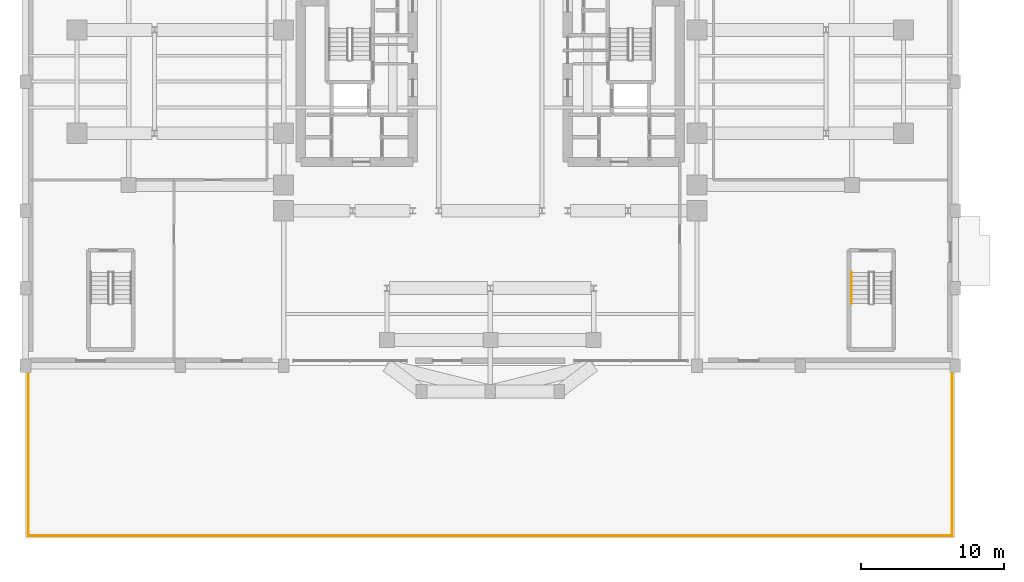
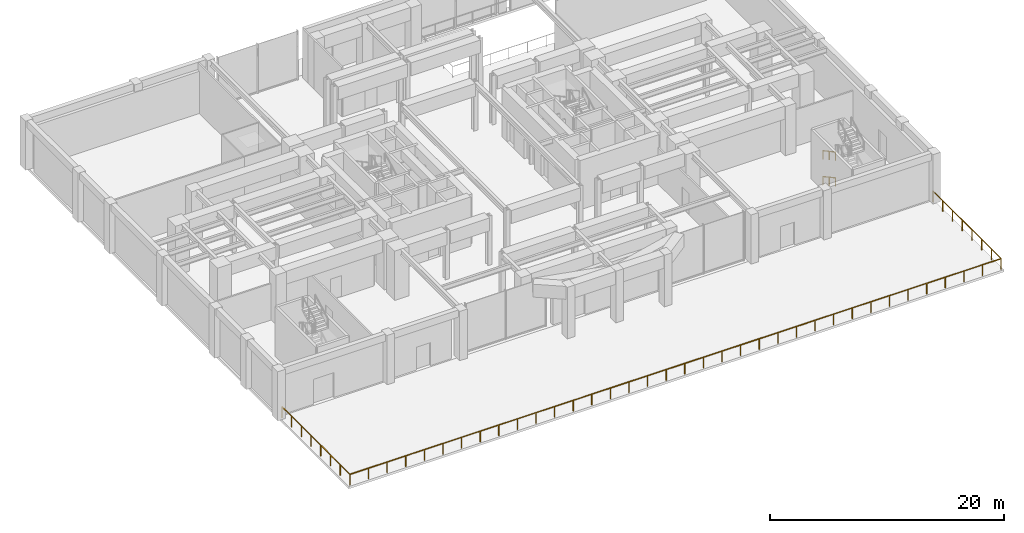
# One storey, part 15 of 17: 3 railings.
"""IFC4 building model written with IfcOpenShell, lengths in metres."""

from ifc_helpers import new_model, si_unit, direction, frame, origin, origin_2d, place, context, subcontext, project, spatial, rectangle, extrude, material, type_object, element, save


model = new_model("IFC4")

# Units and contexts
model_context = context("Model", 3, precision=1e-05, world=origin(), true_north=direction((0.0, 1.0)))
body_context = subcontext(model_context, "Body", "Model", "MODEL_VIEW")
ifc_project = project(units=[si_unit("LENGTHUNIT", "METRE"), si_unit("AREAUNIT", "SQUARE_METRE"), si_unit("VOLUMEUNIT", "CUBIC_METRE"), si_unit("PLANEANGLEUNIT", "RADIAN"), si_unit("MASSUNIT", "GRAM", prefix="KILO")], contexts=[model_context])

# Site, building, storey
site_placement = place(None, origin())
site = spatial("IfcSite", under=ifc_project, at=site_placement, CompositionType="ELEMENT")
building_placement = place(site_placement, origin())
building = spatial("IfcBuilding", under=site, at=building_placement, Name="Keilestroom Media Tower", CompositionType="ELEMENT")
storey_placement = place(building_placement, origin())
storey = spatial("IfcBuildingStorey", under=building, at=storey_placement, Name="L00", CompositionType="ELEMENT", Elevation=0.0)

# Railings
ifc_material_1 = material(Name="Brushed Stainless Steel 1.4301", Category="steel")
railing_type_1 = type_object("IfcRailingType", Name="Stair-Pitch-Handrail-920", PredefinedType="HANDRAIL", material=ifc_material_1)
for number, where, name in (
    (1, (25.169921875, -13.2900390625, 0.168701171875), "L00 ST-4 stair handrail 1"),
    (2, (25.169921875, -13.2900390625, 2.86865234375), "L00 ST-4 stair handrail 3"),
):
    element("IfcRailing", number, at=place(storey_placement, frame(where)), inside=storey, type_object=railing_type_1, Name=name, PredefinedType="HANDRAIL", context=body_context, shape_type="SweptSolid", body=[
        extrude(rectangle(XDim=0.048095703125, YDim=0.048095703125, at=origin_2d()), frame((0.0, 0.0, 0.8759765625), z_axis=(0.0, -0.879569751981, 0.475769956387), x_axis=(1.0, 0.0, 0.0)), (0.0, 0.0, 1.0), 2.483154296875),
        extrude(rectangle(XDim=0.0419921875, YDim=0.0419921875, at=origin_2d()), origin(), (0.0, 0.0, 1.0), 0.84375),
        extrude(rectangle(XDim=0.0419921875, YDim=0.0419921875, at=origin_2d()), frame((0.0, -1.092041015625, 0.5908203125)), (0.0, 0.0, 1.0), 0.84375),
        extrude(rectangle(XDim=0.0419921875, YDim=0.0419921875, at=origin_2d()), frame((0.0, -2.18408203125, 1.181396484375)), (0.0, 0.0, 1.0), 0.84375),
    ])
ifc_material_2 = material(Name="Laminated Safety Glass & Stainless Steel", Category="steel")
railing_type_2 = type_object("IfcRailingType", Name="Terrace-And-Atrium-Guard-Balustrade-GD-EXT", PredefinedType="BALUSTRADE", material=ifc_material_2)
railing_placement = place(storey_placement, frame((-32.199951171875, -20.0, 0.0)))
element("IfcRailing", 3, at=railing_placement, inside=storey, type_object=railing_type_2, Name="L00 Keilestroom Quay Edge Safety Balustrade", PredefinedType="BALUSTRADE", context=body_context, shape_type="SweptSolid", body=[
    extrude(rectangle(XDim=0.048095703125, YDim=0.048095703125, at=origin_2d()), frame((0.0, 0.0, 1.1259765625), z_axis=(0.0, -1.0, 0.0), x_axis=(1.0, 0.0, 0.0)), (0.0, 0.0, 1.0), 11.601806640625),
    extrude(rectangle(XDim=0.048095703125, YDim=0.048095703125, at=origin_2d()), frame((0.048095703125, -11.64990234375, 1.1259765625), z_axis=(1.0, 0.0, 0.0), x_axis=(0.0, 1.0, 0.0)), (0.0, 0.0, 1.0), 64.3037109375),
    extrude(rectangle(XDim=0.048095703125, YDim=0.048095703125, at=origin_2d()), frame((64.39990234375, -11.601806640625, 1.1259765625), z_axis=(0.0, 1.0, 0.0), x_axis=(-1.0, 0.0, 0.0)), (0.0, 0.0, 1.0), 11.601806640625),
    extrude(rectangle(XDim=0.0419921875, YDim=0.0419921875, at=origin_2d()), origin(), (0.0, 0.0, 1.0), 1.09375),
    extrude(rectangle(XDim=0.0419921875, YDim=0.0419921875, at=origin_2d()), frame((0.0, -1.664306640625, 0.0)), (0.0, 0.0, 1.0), 1.09375),
    extrude(rectangle(XDim=0.0419921875, YDim=0.0419921875, at=origin_2d()), frame((0.0, -3.32861328125, 0.0)), (0.0, 0.0, 1.0), 1.09375),
    extrude(rectangle(XDim=0.0419921875, YDim=0.0419921875, at=origin_2d()), frame((0.0, -4.992919921875, 0.0)), (0.0, 0.0, 1.0), 1.09375),
    extrude(rectangle(XDim=0.0419921875, YDim=0.0419921875, at=origin_2d()), frame((0.0, -6.656982421875, 0.0)), (0.0, 0.0, 1.0), 1.09375),
    extrude(rectangle(XDim=0.0419921875, YDim=0.0419921875, at=origin_2d()), frame((0.0, -8.3212890625, 0.0)), (0.0, 0.0, 1.0), 1.09375),
    extrude(rectangle(XDim=0.0419921875, YDim=0.0419921875, at=origin_2d()), frame((0.0, -9.985595703125, 0.0)), (0.0, 0.0, 1.0), 1.09375),
    extrude(rectangle(XDim=0.0419921875, YDim=0.0419921875, at=origin_2d()), frame((0.0, -11.64990234375, 0.0)), (0.0, 0.0, 1.0), 1.09375),
    extrude(rectangle(XDim=0.0419921875, YDim=0.0419921875, at=origin_2d()), frame((1.840087890625, -11.64990234375, 0.0)), (0.0, 0.0, 1.0), 1.09375),
    extrude(rectangle(XDim=0.0419921875, YDim=0.0419921875, at=origin_2d()), frame((3.679931640625, -11.64990234375, 0.0)), (0.0, 0.0, 1.0), 1.09375),
    extrude(rectangle(XDim=0.0419921875, YDim=0.0419921875, at=origin_2d()), frame((5.52001953125, -11.64990234375, 0.0)), (0.0, 0.0, 1.0), 1.09375),
    extrude(rectangle(XDim=0.0419921875, YDim=0.0419921875, at=origin_2d()), frame((7.360107421875, -11.64990234375, 0.0)), (0.0, 0.0, 1.0), 1.09375),
    extrude(rectangle(XDim=0.0419921875, YDim=0.0419921875, at=origin_2d()), frame((9.199951171875, -11.64990234375, 0.0)), (0.0, 0.0, 1.0), 1.09375),
    extrude(rectangle(XDim=0.0419921875, YDim=0.0419921875, at=origin_2d()), frame((11.0400390625, -11.64990234375, 0.0)), (0.0, 0.0, 1.0), 1.09375),
    extrude(rectangle(XDim=0.0419921875, YDim=0.0419921875, at=origin_2d()), frame((12.8798828125, -11.64990234375, 0.0)), (0.0, 0.0, 1.0), 1.09375),
    extrude(rectangle(XDim=0.0419921875, YDim=0.0419921875, at=origin_2d()), frame((14.719970703125, -11.64990234375, 0.0)), (0.0, 0.0, 1.0), 1.09375),
    extrude(rectangle(XDim=0.0419921875, YDim=0.0419921875, at=origin_2d()), frame((16.56005859375, -11.64990234375, 0.0)), (0.0, 0.0, 1.0), 1.09375),
    extrude(rectangle(XDim=0.0419921875, YDim=0.0419921875, at=origin_2d()), frame((18.39990234375, -11.64990234375, 0.0)), (0.0, 0.0, 1.0), 1.09375),
    extrude(rectangle(XDim=0.0419921875, YDim=0.0419921875, at=origin_2d()), frame((20.239990234375, -11.64990234375, 0.0)), (0.0, 0.0, 1.0), 1.09375),
    extrude(rectangle(XDim=0.0419921875, YDim=0.0419921875, at=origin_2d()), frame((22.080078125, -11.64990234375, 0.0)), (0.0, 0.0, 1.0), 1.09375),
    extrude(rectangle(XDim=0.0419921875, YDim=0.0419921875, at=origin_2d()), frame((23.919921875, -11.64990234375, 0.0)), (0.0, 0.0, 1.0), 1.09375),
    extrude(rectangle(XDim=0.0419921875, YDim=0.0419921875, at=origin_2d()), frame((25.760009765625, -11.64990234375, 0.0)), (0.0, 0.0, 1.0), 1.09375),
    extrude(rectangle(XDim=0.0419921875, YDim=0.0419921875, at=origin_2d()), frame((27.599853515625, -11.64990234375, 0.0)), (0.0, 0.0, 1.0), 1.09375),
    extrude(rectangle(XDim=0.0419921875, YDim=0.0419921875, at=origin_2d()), frame((29.43994140625, -11.64990234375, 0.0)), (0.0, 0.0, 1.0), 1.09375),
    extrude(rectangle(XDim=0.0419921875, YDim=0.0419921875, at=origin_2d()), frame((31.280029296875, -11.64990234375, 0.0)), (0.0, 0.0, 1.0), 1.09375),
    extrude(rectangle(XDim=0.0419921875, YDim=0.0419921875, at=origin_2d()), frame((33.119873046875, -11.64990234375, 0.0)), (0.0, 0.0, 1.0), 1.09375),
    extrude(rectangle(XDim=0.0419921875, YDim=0.0419921875, at=origin_2d()), frame((34.9599609375, -11.64990234375, 0.0)), (0.0, 0.0, 1.0), 1.09375),
    extrude(rectangle(XDim=0.0419921875, YDim=0.0419921875, at=origin_2d()), frame((36.800048828125, -11.64990234375, 0.0)), (0.0, 0.0, 1.0), 1.09375),
    extrude(rectangle(XDim=0.0419921875, YDim=0.0419921875, at=origin_2d()), frame((38.639892578125, -11.64990234375, 0.0)), (0.0, 0.0, 1.0), 1.09375),
    extrude(rectangle(XDim=0.0419921875, YDim=0.0419921875, at=origin_2d()), frame((40.47998046875, -11.64990234375, 0.0)), (0.0, 0.0, 1.0), 1.09375),
    extrude(rectangle(XDim=0.0419921875, YDim=0.0419921875, at=origin_2d()), frame((42.31982421875, -11.64990234375, 0.0)), (0.0, 0.0, 1.0), 1.09375),
    extrude(rectangle(XDim=0.0419921875, YDim=0.0419921875, at=origin_2d()), frame((44.159912109375, -11.64990234375, 0.0)), (0.0, 0.0, 1.0), 1.09375),
    extrude(rectangle(XDim=0.0419921875, YDim=0.0419921875, at=origin_2d()), frame((46.0, -11.64990234375, 0.0)), (0.0, 0.0, 1.0), 1.09375),
    extrude(rectangle(XDim=0.0419921875, YDim=0.0419921875, at=origin_2d()), frame((47.83984375, -11.64990234375, 0.0)), (0.0, 0.0, 1.0), 1.09375),
    extrude(rectangle(XDim=0.0419921875, YDim=0.0419921875, at=origin_2d()), frame((49.679931640625, -11.64990234375, 0.0)), (0.0, 0.0, 1.0), 1.09375),
    extrude(rectangle(XDim=0.0419921875, YDim=0.0419921875, at=origin_2d()), frame((51.52001953125, -11.64990234375, 0.0)), (0.0, 0.0, 1.0), 1.09375),
    extrude(rectangle(XDim=0.0419921875, YDim=0.0419921875, at=origin_2d()), frame((53.35986328125, -11.64990234375, 0.0)), (0.0, 0.0, 1.0), 1.09375),
    extrude(rectangle(XDim=0.0419921875, YDim=0.0419921875, at=origin_2d()), frame((55.199951171875, -11.64990234375, 0.0)), (0.0, 0.0, 1.0), 1.09375),
    extrude(rectangle(XDim=0.0419921875, YDim=0.0419921875, at=origin_2d()), frame((57.039794921875, -11.64990234375, 0.0)), (0.0, 0.0, 1.0), 1.09375),
    extrude(rectangle(XDim=0.0419921875, YDim=0.0419921875, at=origin_2d()), frame((58.8798828125, -11.64990234375, 0.0)), (0.0, 0.0, 1.0), 1.09375),
    extrude(rectangle(XDim=0.0419921875, YDim=0.0419921875, at=origin_2d()), frame((60.719970703125, -11.64990234375, 0.0)), (0.0, 0.0, 1.0), 1.09375),
    extrude(rectangle(XDim=0.0419921875, YDim=0.0419921875, at=origin_2d()), frame((62.559814453125, -11.64990234375, 0.0)), (0.0, 0.0, 1.0), 1.09375),
    extrude(rectangle(XDim=0.0419921875, YDim=0.0419921875, at=origin_2d()), frame((64.39990234375, -11.64990234375, 0.0)), (0.0, 0.0, 1.0), 1.09375),
    extrude(rectangle(XDim=0.0419921875, YDim=0.0419921875, at=origin_2d()), frame((64.39990234375, -9.985595703125, 0.0)), (0.0, 0.0, 1.0), 1.09375),
    extrude(rectangle(XDim=0.0419921875, YDim=0.0419921875, at=origin_2d()), frame((64.39990234375, -8.3212890625, 0.0)), (0.0, 0.0, 1.0), 1.09375),
    extrude(rectangle(XDim=0.0419921875, YDim=0.0419921875, at=origin_2d()), frame((64.39990234375, -6.656982421875, 0.0)), (0.0, 0.0, 1.0), 1.09375),
    extrude(rectangle(XDim=0.0419921875, YDim=0.0419921875, at=origin_2d()), frame((64.39990234375, -4.992919921875, 0.0)), (0.0, 0.0, 1.0), 1.09375),
    extrude(rectangle(XDim=0.0419921875, YDim=0.0419921875, at=origin_2d()), frame((64.39990234375, -3.32861328125, 0.0)), (0.0, 0.0, 1.0), 1.09375),
    extrude(rectangle(XDim=0.0419921875, YDim=0.0419921875, at=origin_2d()), frame((64.39990234375, -1.664306640625, 0.0)), (0.0, 0.0, 1.0), 1.09375),
    extrude(rectangle(XDim=0.0419921875, YDim=0.0419921875, at=origin_2d()), frame((64.39990234375, 0.0, 0.0)), (0.0, 0.0, 1.0), 1.09375),
])

save(model, "model.ifc")
